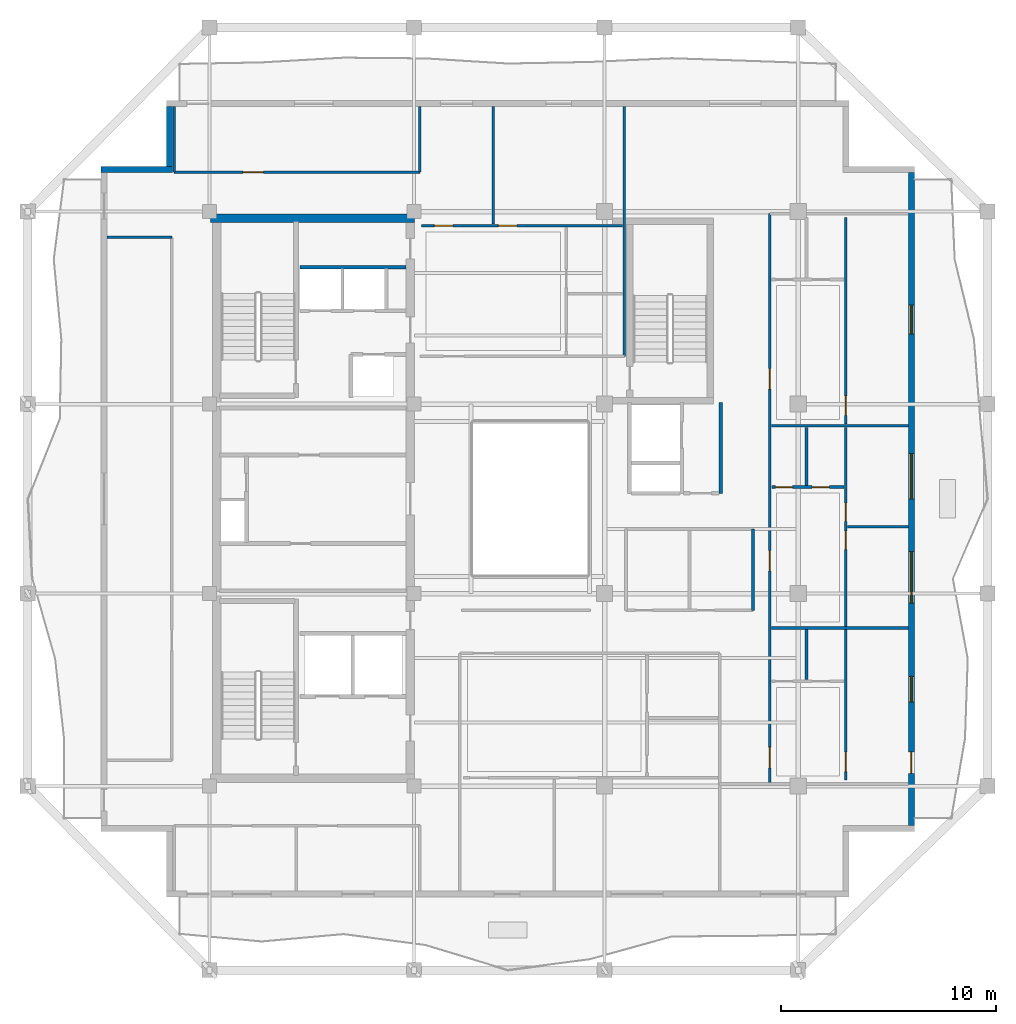
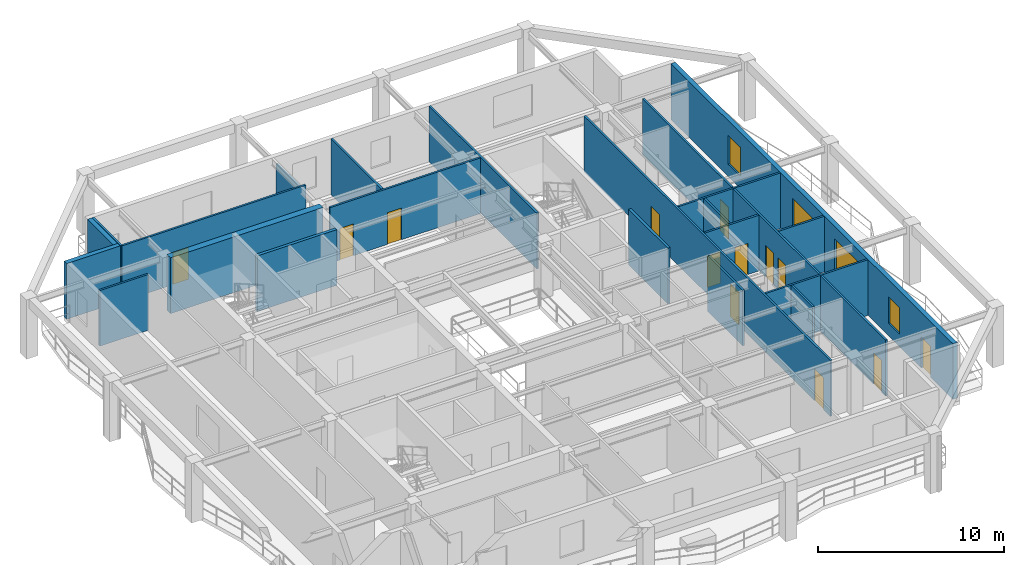
# One storey, part 5 of 10: 24 walls, 13 doors, 4 windows, 17 openings.
"""IFC4 building model written with IfcOpenShell, lengths in metres."""

from ifc_helpers import new_model, si_unit, direction, frame, frame_2d, origin, place, context, subcontext, project, spatial, rectangle, extrude, material, layer, layer_set, type_object, element, fill, save


model = new_model("IFC4")

# Units and contexts
model_context = context("Model", 3, precision=1e-05, world=origin(), true_north=direction((0.0, 1.0)))
body_context = subcontext(model_context, "Body", "Model", "MODEL_VIEW")
ifc_project = project(units=[si_unit("LENGTHUNIT", "METRE"), si_unit("AREAUNIT", "SQUARE_METRE"), si_unit("VOLUMEUNIT", "CUBIC_METRE"), si_unit("PLANEANGLEUNIT", "RADIAN"), si_unit("MASSUNIT", "GRAM", prefix="KILO")], contexts=[model_context])

# Site, building, storey
site_placement = place(None, origin())
site = spatial("IfcSite", under=ifc_project, at=site_placement, CompositionType="ELEMENT")
building_placement = place(site_placement, origin())
building = spatial("IfcBuilding", under=site, at=building_placement, Name="Kundavana Baori Tower", CompositionType="ELEMENT")
storey_placement = place(building_placement, frame((0.0, 0.0, 292.10009765625)))
storey = spatial("IfcBuildingStorey", under=building, at=storey_placement, Name="L72", CompositionType="ELEMENT", Elevation=292.10009765625)

# Wall
ifc_material_1 = material(Name="Concrete C50/60", Category="concrete")
ifc_layer_1 = layer(ifc_material_1, 0.39990234375, Name="WL-CORE-400")
ifc_layer_set_1 = layer_set([ifc_layer_1], Name="Concrete C50/60")
wall_type_1 = type_object("IfcWallType", Name="WL-CORE-400", PredefinedType="SHEAR", material=ifc_layer_set_1)
wall_1_placement = place(storey_placement, frame((15.5, 41.639892578125, 0.0), z_axis=(0.0, 0.0, 1.0), x_axis=(1.0, 0.0, 0.0)))
element("IfcWall", 1, at=wall_1_placement, inside=storey, type_object=wall_type_1, Name="L72 Offset Core North Shear Wall", PredefinedType="SHEAR", context=body_context, shape_type="SweptSolid", body=[
    extrude(rectangle(XDim=9.47998046875, YDim=0.39990234375, at=frame_2d((4.739990234375, 0.0))), origin(), (0.0, 0.0, 1.0), 3.659912109375),
])

# Wall, openings, door, windows
ifc_material_2 = material(Name="Red-Buff Dholpur Sandstone Cladding on Concrete C40/50", Category="masonry")
ifc_layer_2 = layer(ifc_material_2, 0.280029296875, Name="WL-EXT-SAND-280")
ifc_layer_set_2 = layer_set([ifc_layer_2], Name="Red-Buff Dholpur Sandstone Cladding on Concrete C40/50")
wall_type_2 = type_object("IfcWallType", Name="WL-EXT-SAND-280", PredefinedType="STANDARD", material=ifc_layer_set_2)
wall_2_placement = place(storey_placement, frame((48.06005859375, 13.429931640625, 0.0), z_axis=(0.0, 0.0, 1.0), x_axis=(0.0, 1.0, 0.0)))
wall_2 = element("IfcWall", 2, at=wall_2_placement, inside=storey, type_object=wall_type_2, Name="L72 Exterior Insulated Facade Wall 04", PredefinedType="STANDARD", context=body_context, shape_type="SweptSolid", body=[
    extrude(rectangle(XDim=30.340087890625, YDim=0.280029296875, at=frame_2d((15.169921875, 0.0))), origin(), (0.0, 0.0, 1.0), 3.659912109375),
])
opening_1_placement = place(wall_2_placement, frame((2.409912109375, 0.0, 0.0)))
opening_1 = element("IfcOpeningElement", 3, at=opening_1_placement, cuts=wall_2, Name="Opening BD-1", PredefinedType="OPENING", context=body_context, shape_type="SweptSolid", body=[
    extrude(rectangle(XDim=1.0, YDim=2.050048828125, at=frame_2d((0.5, 1.02490234375))), frame((0.0, 0.14990234375, 0.0), z_axis=(0.0, -1.0, 0.0), x_axis=(1.0, 0.0, 0.0)), (0.0, 0.0, 1.0), 0.300048828125),
])
opening_2_placement = place(wall_2_placement, frame((5.719970703125, 0.0, 0.800048828125)))
opening_2 = element("IfcOpeningElement", 4, at=opening_2_placement, cuts=wall_2, Name="Opening W-03", PredefinedType="OPENING", context=body_context, shape_type="SweptSolid", body=[
    extrude(rectangle(XDim=1.199951171875, YDim=1.75, at=frame_2d((0.60009765625, 0.875))), frame((0.0, 0.14990234375, 0.0), z_axis=(0.0, -1.0, 0.0), x_axis=(1.0, 0.0, 0.0)), (0.0, 0.0, 1.0), 0.300048828125),
])
opening_3_placement = place(wall_2_placement, frame((10.320068359375, 0.0, 0.800048828125)))
opening_3 = element("IfcOpeningElement", 5, at=opening_3_placement, cuts=wall_2, Name="Opening W-04", PredefinedType="OPENING", context=body_context, shape_type="SweptSolid", body=[
    extrude(rectangle(XDim=2.39990234375, YDim=2.050048828125, at=frame_2d((1.199951171875, 1.02490234375))), frame((0.0, 0.14990234375, 0.0), z_axis=(0.0, -1.0, 0.0), x_axis=(1.0, 0.0, 0.0)), (0.0, 0.0, 1.0), 0.300048828125),
])
opening_4_placement = place(wall_2_placement, frame((15.169921875, 0.0, 0.800048828125)))
opening_4 = element("IfcOpeningElement", 6, at=opening_4_placement, cuts=wall_2, Name="Opening W-05", PredefinedType="OPENING", context=body_context, shape_type="SweptSolid", body=[
    extrude(rectangle(XDim=2.10009765625, YDim=1.949951171875, at=frame_2d((1.050048828125, 0.97509765625))), frame((0.0, 0.14990234375, 0.0), z_axis=(0.0, -1.0, 0.0), x_axis=(1.0, 0.0, 0.0)), (0.0, 0.0, 1.0), 0.300048828125),
])
opening_5_placement = place(wall_2_placement, frame((22.820068359375, 0.0, 0.800048828125)))
opening_5 = element("IfcOpeningElement", 7, at=opening_5_placement, cuts=wall_2, Name="Opening W-07", PredefinedType="OPENING", context=body_context, shape_type="SweptSolid", body=[
    extrude(rectangle(XDim=1.35009765625, YDim=1.89990234375, at=frame_2d((0.675048828125, 0.949951171875))), frame((0.0, 0.14990234375, 0.0), z_axis=(0.0, -1.0, 0.0), x_axis=(1.0, 0.0, 0.0)), (0.0, 0.0, 1.0), 0.300048828125),
])
ifc_material_3 = material(Name="Architectural Patinated Bronze Metalwork")
door_type_1 = type_object("IfcDoorType", Name="DR-EXT-LOG-1000", OperationType="NOTDEFINED", PredefinedType="DOOR", material=ifc_material_3)
door_1_placement = place(opening_1_placement, frame((1.0, 0.0, 0.0), z_axis=(0.0, 0.0, 1.0), x_axis=(-1.0, 0.0, 0.0)))
door_1 = element("IfcDoor", 8, at=door_1_placement, inside=storey, type_object=door_type_1, Name="L72 Loggia Balcony Access Door E", OperationType="SINGLE_SWING_RIGHT", OverallHeight=2.050048828125, OverallWidth=1.0, PredefinedType="DOOR", context=body_context, shape_type="SweptSolid", body=[
    extrude(rectangle(XDim=1.0, YDim=2.050048828125, at=frame_2d((0.5, 1.02490234375))), frame((0.0, 0.02490234375, 0.0), z_axis=(0.0, -1.0, 0.0), x_axis=(1.0, 0.0, 0.0)), (0.0, 0.0, 1.0), 0.050048828125),
])
fill(opening_1, door_1)
ifc_material_4 = material(Name="Double-Glazed Solar-Control Low-E Insulated Glass", Category="glass")
window_type_1 = type_object("IfcWindowType", Name="WIN-LOG-1200x1750", PartitioningType="SINGLE_PANEL", PredefinedType="WINDOW", material=ifc_material_4)
window_1_placement = place(opening_2_placement, origin())
window_1 = element("IfcWindow", 9, at=window_1_placement, inside=storey, type_object=window_type_1, Name="L72 Recessed Loggia Window E-1", OverallHeight=1.75, OverallWidth=1.199951171875, PartitioningType="SINGLE_PANEL", PredefinedType="WINDOW", context=body_context, shape_type="SweptSolid", body=[
    extrude(rectangle(XDim=1.199951171875, YDim=1.75, at=frame_2d((0.60009765625, 0.875))), frame((0.0, 0.030029296875, 0.0), z_axis=(0.0, -1.0, 0.0), x_axis=(1.0, 0.0, 0.0)), (0.0, 0.0, 1.0), 0.06005859375),
])
fill(opening_2, window_1)
ifc_material_5 = material(Name="Double-Glazed Solar-Control Low-E Insulated Glass", Category="glass")
window_type_2 = type_object("IfcWindowType", Name="WIN-LOG-1350x1900", PartitioningType="SINGLE_PANEL", PredefinedType="WINDOW", material=ifc_material_5)
window_2_placement = place(opening_5_placement, origin())
window_2 = element("IfcWindow", 10, at=window_2_placement, inside=storey, type_object=window_type_2, Name="L72 Recessed Loggia Window E-4", OverallHeight=1.89990234375, OverallWidth=1.35009765625, PartitioningType="SINGLE_PANEL", PredefinedType="WINDOW", context=body_context, shape_type="SweptSolid", body=[
    extrude(rectangle(XDim=1.35009765625, YDim=1.89990234375, at=frame_2d((0.675048828125, 0.949951171875))), frame((0.0, 0.030029296875, 0.0), z_axis=(0.0, -1.0, 0.0), x_axis=(1.0, 0.0, 0.0)), (0.0, 0.0, 1.0), 0.06005859375),
])
fill(opening_5, window_2)
ifc_material_6 = material(Name="Double-Glazed Solar-Control Low-E Insulated Glass", Category="glass")
window_type_3 = type_object("IfcWindowType", Name="WIN-LOG-2100x1950", PartitioningType="SINGLE_PANEL", PredefinedType="WINDOW", material=ifc_material_6)
window_3_placement = place(opening_4_placement, origin())
window_3 = element("IfcWindow", 11, at=window_3_placement, inside=storey, type_object=window_type_3, Name="L72 Recessed Loggia Window E-3", OverallHeight=1.949951171875, OverallWidth=2.10009765625, PartitioningType="SINGLE_PANEL", PredefinedType="WINDOW", context=body_context, shape_type="SweptSolid", body=[
    extrude(rectangle(XDim=2.10009765625, YDim=1.949951171875, at=frame_2d((1.050048828125, 0.97509765625))), frame((0.0, 0.030029296875, 0.0), z_axis=(0.0, -1.0, 0.0), x_axis=(1.0, 0.0, 0.0)), (0.0, 0.0, 1.0), 0.06005859375),
])
fill(opening_4, window_3)
ifc_material_7 = material(Name="Double-Glazed Solar-Control Low-E Insulated Glass", Category="glass")
window_type_4 = type_object("IfcWindowType", Name="WIN-LOG-2400x2050", PartitioningType="SINGLE_PANEL", PredefinedType="WINDOW", material=ifc_material_7)
window_4_placement = place(opening_3_placement, origin())
window_4 = element("IfcWindow", 12, at=window_4_placement, inside=storey, type_object=window_type_4, Name="L72 Recessed Loggia Window E-2", OverallHeight=2.050048828125, OverallWidth=2.39990234375, PartitioningType="SINGLE_PANEL", PredefinedType="WINDOW", context=body_context, shape_type="SweptSolid", body=[
    extrude(rectangle(XDim=2.39990234375, YDim=2.050048828125, at=frame_2d((1.199951171875, 1.02490234375))), frame((0.0, 0.030029296875, 0.0), z_axis=(0.0, -1.0, 0.0), x_axis=(1.0, 0.0, 0.0)), (0.0, 0.0, 1.0), 0.06005859375),
])
fill(opening_3, window_4)

# Walls
wall_3_placement = place(storey_placement, frame((13.590087890625, 46.820068359375, 0.0), z_axis=(0.0, 0.0, 1.0), x_axis=(0.0, -1.0, 0.0)))
element("IfcWall", 13, at=wall_3_placement, inside=storey, type_object=wall_type_2, Name="L72 Exterior Insulated Facade Wall 08", PredefinedType="STANDARD", context=body_context, shape_type="SweptSolid", body=[
    extrude(rectangle(XDim=2.77001953125, YDim=0.280029296875, at=frame_2d((1.385009765625, 0.0))), origin(), (0.0, 0.0, 1.0), 3.659912109375),
])
wall_4_placement = place(storey_placement, frame((13.72998046875, 43.909912109375, 0.0), z_axis=(0.0, 0.0, 1.0), x_axis=(-1.0, 0.0, 0.0)))
element("IfcWall", 14, at=wall_4_placement, inside=storey, type_object=wall_type_2, Name="L72 Exterior Insulated Facade Wall 09", PredefinedType="STANDARD", context=body_context, shape_type="SweptSolid", body=[
    extrude(rectangle(XDim=3.330078125, YDim=0.280029296875, at=frame_2d((1.6650390625, 0.0))), origin(), (0.0, 0.0, 1.0), 3.659912109375),
])

# Wall, opening, door
ifc_material_8 = material(Name="Acoustic Gypsum Plasterboard on Galvanised Steel Studs", Category="steel")
ifc_layer_3 = layer(ifc_material_8, 0.1201171875, Name="WL-PART-120")
ifc_layer_set_3 = layer_set([ifc_layer_3], Name="Acoustic Gypsum Plasterboard on Galvanised Steel Studs")
wall_type_3 = type_object("IfcWallType", Name="WL-PART-120", PredefinedType="PARTITIONING", material=ifc_layer_set_3)
wall_5_placement = place(storey_placement, frame((13.800048828125, 43.780029296875, 0.0), z_axis=(0.0, 0.0, 1.0), x_axis=(1.0, 0.0, 0.0)))
wall_5 = element("IfcWall", 15, at=wall_5_placement, inside=storey, type_object=wall_type_3, Name="WL-L72-RNC", PredefinedType="PARTITIONING", context=body_context, shape_type="SweptSolid", body=[
    extrude(rectangle(XDim=11.419921875, YDim=0.1201171875, at=frame_2d((5.7099609375, 0.0))), origin(), (0.0, 0.0, 1.0), 3.659912109375),
])
opening_6_placement = place(wall_5_placement, frame((3.199951171875, 0.0, 0.0)))
opening_6 = element("IfcOpeningElement", 16, at=opening_6_placement, cuts=wall_5, Name="Opening ID-095", PredefinedType="OPENING", context=body_context, shape_type="SweptSolid", body=[
    extrude(rectangle(XDim=0.949951171875, YDim=2.080078125, at=frame_2d((0.47509765625, 1.0400390625))), frame((0.0, 0.070068359375, 0.0), z_axis=(0.0, -1.0, 0.0), x_axis=(1.0, 0.0, 0.0)), (0.0, 0.0, 1.0), 0.14013671875),
])
ifc_material_9 = material(Name="Engineered Teak Solid-Core Timber Veneer", Category="wood")
door_type_2 = type_object("IfcDoorType", Name="DR-INT-950", OperationType="NOTDEFINED", PredefinedType="DOOR", material=ifc_material_9)
door_2_placement = place(opening_6_placement, origin())
door_2 = element("IfcDoor", 17, at=door_2_placement, inside=storey, type_object=door_type_2, Name="DR-L72-RMNW", OperationType="SINGLE_SWING_RIGHT", OverallHeight=2.080078125, OverallWidth=0.949951171875, PredefinedType="DOOR", context=body_context, shape_type="SweptSolid", body=[
    extrude(rectangle(XDim=0.949951171875, YDim=2.080078125, at=frame_2d((0.47509765625, 1.0400390625))), frame((0.0, 0.02490234375, 0.0), z_axis=(0.0, -1.0, 0.0), x_axis=(1.0, 0.0, 0.0)), (0.0, 0.0, 1.0), 0.050048828125),
])
fill(opening_6, door_2)

# Walls
wall_6_placement = place(storey_placement, frame((13.800048828125, 43.780029296875, 0.0), z_axis=(0.0, 0.0, 1.0), x_axis=(0.0, 1.0, 0.0)))
element("IfcWall", 18, at=wall_6_placement, inside=storey, type_object=wall_type_3, Name="WL-L72-RNCW", PredefinedType="PARTITIONING", context=body_context, shape_type="SweptSolid", body=[
    extrude(rectangle(XDim=3.0400390625, YDim=0.1201171875, at=frame_2d((1.52001953125, 0.0))), origin(), (0.0, 0.0, 1.0), 3.659912109375),
])
wall_7_placement = place(storey_placement, frame((25.219970703125, 43.780029296875, 0.0), z_axis=(0.0, 0.0, 1.0), x_axis=(0.0, 1.0, 0.0)))
element("IfcWall", 19, at=wall_7_placement, inside=storey, type_object=wall_type_3, Name="WL-L72-RNCE", PredefinedType="PARTITIONING", context=body_context, shape_type="SweptSolid", body=[
    extrude(rectangle(XDim=3.0400390625, YDim=0.1201171875, at=frame_2d((1.52001953125, 0.0))), origin(), (0.0, 0.0, 1.0), 3.2099609375),
])
wall_8_placement = place(storey_placement, frame((10.679931640625, 40.75, 0.0), z_axis=(0.0, 0.0, 1.0), x_axis=(1.0, 0.0, 0.0)))
element("IfcWall", 20, at=wall_8_placement, inside=storey, type_object=wall_type_3, Name="WL-L72-RWN", PredefinedType="PARTITIONING", context=body_context, shape_type="SweptSolid", body=[
    extrude(rectangle(XDim=3.02001953125, YDim=0.1201171875, at=frame_2d((1.510009765625, 0.0))), origin(), (0.0, 0.0, 1.0), 3.659912109375),
])
wall_9_placement = place(storey_placement, frame((34.719970703125, 35.219970703125, 0.0), z_axis=(0.0, 0.0, 1.0), x_axis=(0.0, 1.0, 0.0)))
element("IfcWall", 21, at=wall_9_placement, inside=storey, type_object=wall_type_3, Name="WL-L72-RNEND", PredefinedType="PARTITIONING", context=body_context, shape_type="SweptSolid", body=[
    extrude(rectangle(XDim=11.60009765625, YDim=0.1201171875, at=frame_2d((5.800048828125, 0.0))), origin(), (0.0, 0.0, 1.0), 3.659912109375),
])

# Wall, openings, doors
wall_10_placement = place(storey_placement, frame((25.300048828125, 41.2900390625, 0.0), z_axis=(0.0, 0.0, 1.0), x_axis=(1.0, 0.0, 0.0)))
wall_10 = element("IfcWall", 22, at=wall_10_placement, inside=storey, type_object=wall_type_3, Name="WL-L72-N1-HZ", PredefinedType="PARTITIONING", context=body_context, shape_type="SweptSolid", body=[
    extrude(rectangle(XDim=9.33984375, YDim=0.1201171875, at=frame_2d((4.669921875, 0.0))), origin(), (0.0, 0.0, 1.0), 3.659912109375),
])
opening_7_placement = place(wall_10_placement, frame((0.60009765625, 0.0, 0.0)))
opening_7 = element("IfcOpeningElement", 23, at=opening_7_placement, cuts=wall_10, Name="Opening ID-085", PredefinedType="OPENING", context=body_context, shape_type="SweptSolid", body=[
    extrude(rectangle(XDim=0.85009765625, YDim=2.080078125, at=frame_2d((0.425048828125, 1.0400390625))), frame((0.0, 0.070068359375, 0.0), z_axis=(0.0, -1.0, 0.0), x_axis=(1.0, 0.0, 0.0)), (0.0, 0.0, 1.0), 0.14013671875),
])
opening_8_placement = place(wall_10_placement, frame((3.572998046875, 0.0, 0.0)))
opening_8 = element("IfcOpeningElement", 24, at=opening_8_placement, cuts=wall_10, Name="Opening ID-085", PredefinedType="OPENING", context=body_context, shape_type="SweptSolid", body=[
    extrude(rectangle(XDim=0.85009765625, YDim=2.080078125, at=frame_2d((0.425048828125, 1.0400390625))), frame((0.0, 0.070068359375, 0.0), z_axis=(0.0, -1.0, 0.0), x_axis=(1.0, 0.0, 0.0)), (0.0, 0.0, 1.0), 0.14013671875),
])
ifc_material_10 = material(Name="Engineered Teak Solid-Core Timber Veneer", Category="wood")
door_type_3 = type_object("IfcDoorType", Name="DR-INT-850", OperationType="NOTDEFINED", PredefinedType="DOOR", material=ifc_material_10)
door_3_placement = place(opening_7_placement, origin())
door_3 = element("IfcDoor", 25, at=door_3_placement, inside=storey, type_object=door_type_3, Name="DR-L72-N1-B1", OperationType="SINGLE_SWING_LEFT", OverallHeight=2.080078125, OverallWidth=0.85009765625, PredefinedType="DOOR", context=body_context, shape_type="SweptSolid", body=[
    extrude(rectangle(XDim=0.85009765625, YDim=2.080078125, at=frame_2d((0.425048828125, 1.0400390625))), frame((0.0, 0.02490234375, 0.0), z_axis=(0.0, -1.0, 0.0), x_axis=(1.0, 0.0, 0.0)), (0.0, 0.0, 1.0), 0.050048828125),
])
fill(opening_7, door_3)
door_4_placement = place(opening_8_placement, origin())
door_4 = element("IfcDoor", 26, at=door_4_placement, inside=storey, type_object=door_type_3, Name="DR-L72-N1-B2", OperationType="SINGLE_SWING_RIGHT", OverallHeight=2.080078125, OverallWidth=0.85009765625, PredefinedType="DOOR", context=body_context, shape_type="SweptSolid", body=[
    extrude(rectangle(XDim=0.85009765625, YDim=2.080078125, at=frame_2d((0.425048828125, 1.0400390625))), frame((0.0, 0.02490234375, 0.0), z_axis=(0.0, -1.0, 0.0), x_axis=(1.0, 0.0, 0.0)), (0.0, 0.0, 1.0), 0.050048828125),
])
fill(opening_8, door_4)

# Wall
wall_11_placement = place(storey_placement, frame((28.623046875, 41.3701171875, 0.0), z_axis=(0.0, 0.0, 1.0), x_axis=(0.0, 1.0, 0.0)))
element("IfcWall", 27, at=wall_11_placement, inside=storey, type_object=wall_type_3, Name="WL-L72-N1-BDV", PredefinedType="PARTITIONING", context=body_context, shape_type="SweptSolid", body=[
    extrude(rectangle(XDim=5.449951171875, YDim=0.1201171875, at=frame_2d((2.72509765625, 0.0))), origin(), (0.0, 0.0, 1.0), 3.659912109375),
])

# Wall, openings, doors
wall_12_placement = place(storey_placement, frame((41.47998046875, 15.35009765625, 0.0), z_axis=(0.0, 0.0, 1.0), x_axis=(0.0, 1.0, 0.0)))
wall_12 = element("IfcWall", 28, at=wall_12_placement, inside=storey, type_object=wall_type_3, Name="WL-L72-RE", PredefinedType="PARTITIONING", context=body_context, shape_type="SweptSolid", body=[
    extrude(rectangle(XDim=26.5, YDim=0.1201171875, at=frame_2d((13.25, 0.0))), origin(), (0.0, 0.0, 1.0), 3.659912109375),
])
opening_9_placement = place(wall_12_placement, frame((0.75, 0.0, 0.0)))
opening_9 = element("IfcOpeningElement", 29, at=opening_9_placement, cuts=wall_12, Name="Opening FD-095", PredefinedType="OPENING", context=body_context, shape_type="SweptSolid", body=[
    extrude(rectangle(XDim=0.949951171875, YDim=2.10009765625, at=frame_2d((0.47509765625, 1.050048828125))), frame((0.0, 0.070068359375, 0.0), z_axis=(0.0, -1.0, 0.0), x_axis=(1.0, 0.0, 0.0)), (0.0, 0.0, 1.0), 0.14013671875),
])
opening_10_placement = place(wall_12_placement, frame((9.89990234375, 0.0, 0.0)))
opening_10 = element("IfcOpeningElement", 30, at=opening_10_placement, cuts=wall_12, Name="Opening FD-095", PredefinedType="OPENING", context=body_context, shape_type="SweptSolid", body=[
    extrude(rectangle(XDim=0.949951171875, YDim=2.10009765625, at=frame_2d((0.47509765625, 1.050048828125))), frame((0.0, 0.070068359375, 0.0), z_axis=(0.0, -1.0, 0.0), x_axis=(1.0, 0.0, 0.0)), (0.0, 0.0, 1.0), 0.14013671875),
])
opening_11_placement = place(wall_12_placement, frame((18.35009765625, 0.0, 0.0)))
opening_11 = element("IfcOpeningElement", 31, at=opening_11_placement, cuts=wall_12, Name="Opening FD-095", PredefinedType="OPENING", context=body_context, shape_type="SweptSolid", body=[
    extrude(rectangle(XDim=0.949951171875, YDim=2.10009765625, at=frame_2d((0.47509765625, 1.050048828125))), frame((0.0, 0.070068359375, 0.0), z_axis=(0.0, -1.0, 0.0), x_axis=(1.0, 0.0, 0.0)), (0.0, 0.0, 1.0), 0.14013671875),
])
ifc_material_11 = material(Name="Engineered Teak Fire-Rated Timber Door Leaf", Category="wood")
door_type_4 = type_object("IfcDoorType", Name="DR-FD60-950", OperationType="NOTDEFINED", PredefinedType="DOOR", material=ifc_material_11)
door_5_placement = place(opening_9_placement, origin())
door_5 = element("IfcDoor", 32, at=door_5_placement, inside=storey, type_object=door_type_4, Name="DR-L72-E1-ENT", OperationType="SINGLE_SWING_LEFT", OverallHeight=2.10009765625, OverallWidth=0.949951171875, PredefinedType="DOOR", context=body_context, shape_type="SweptSolid", body=[
    extrude(rectangle(XDim=0.949951171875, YDim=2.10009765625, at=frame_2d((0.47509765625, 1.050048828125))), frame((0.0, 0.02490234375, 0.0), z_axis=(0.0, -1.0, 0.0), x_axis=(1.0, 0.0, 0.0)), (0.0, 0.0, 1.0), 0.050048828125),
])
fill(opening_9, door_5)
door_6_placement = place(opening_10_placement, origin())
door_6 = element("IfcDoor", 33, at=door_6_placement, inside=storey, type_object=door_type_4, Name="DR-L72-E2-ENT", OperationType="SINGLE_SWING_LEFT", OverallHeight=2.10009765625, OverallWidth=0.949951171875, PredefinedType="DOOR", context=body_context, shape_type="SweptSolid", body=[
    extrude(rectangle(XDim=0.949951171875, YDim=2.10009765625, at=frame_2d((0.47509765625, 1.050048828125))), frame((0.0, 0.02490234375, 0.0), z_axis=(0.0, -1.0, 0.0), x_axis=(1.0, 0.0, 0.0)), (0.0, 0.0, 1.0), 0.050048828125),
])
fill(opening_10, door_6)
door_7_placement = place(opening_11_placement, origin())
door_7 = element("IfcDoor", 34, at=door_7_placement, inside=storey, type_object=door_type_4, Name="DR-L72-E3-ENT", OperationType="SINGLE_SWING_LEFT", OverallHeight=2.10009765625, OverallWidth=0.949951171875, PredefinedType="DOOR", context=body_context, shape_type="SweptSolid", body=[
    extrude(rectangle(XDim=0.949951171875, YDim=2.10009765625, at=frame_2d((0.47509765625, 1.050048828125))), frame((0.0, 0.02490234375, 0.0), z_axis=(0.0, -1.0, 0.0), x_axis=(1.0, 0.0, 0.0)), (0.0, 0.0, 1.0), 0.050048828125),
])
fill(opening_11, door_7)

# Wall, opening, door
wall_13_placement = place(storey_placement, frame((45.00390625, 15.530029296875, 0.0), z_axis=(0.0, 0.0, 1.0), x_axis=(0.0, 1.0, 0.0)))
wall_13 = element("IfcWall", 35, at=wall_13_placement, inside=storey, type_object=wall_type_3, Name="WL-L72-E1-VT", PredefinedType="PARTITIONING", context=body_context, shape_type="SweptSolid", body=[
    extrude(rectangle(XDim=6.989990234375, YDim=0.1201171875, at=frame_2d((3.4951171875, 0.0))), origin(), (0.0, 0.0, 1.0), 3.659912109375),
])
opening_12_placement = place(wall_13_placement, frame((0.39990234375, 0.0, 0.0)))
opening_12 = element("IfcOpeningElement", 36, at=opening_12_placement, cuts=wall_13, Name="Opening ID-090", PredefinedType="OPENING", context=body_context, shape_type="SweptSolid", body=[
    extrude(rectangle(XDim=0.89990234375, YDim=2.080078125, at=frame_2d((0.449951171875, 1.0400390625))), frame((0.0, 0.070068359375, 0.0), z_axis=(0.0, -1.0, 0.0), x_axis=(1.0, 0.0, 0.0)), (0.0, 0.0, 1.0), 0.14013671875),
])
ifc_material_12 = material(Name="Engineered Teak Solid-Core Timber Veneer", Category="wood")
door_type_5 = type_object("IfcDoorType", Name="DR-INT-900", OperationType="NOTDEFINED", PredefinedType="DOOR", material=ifc_material_12)
door_8_placement = place(opening_12_placement, origin())
door_8 = element("IfcDoor", 37, at=door_8_placement, inside=storey, type_object=door_type_5, Name="DR-L72-E1-B1", OperationType="SINGLE_SWING_LEFT", OverallHeight=2.080078125, OverallWidth=0.89990234375, PredefinedType="DOOR", context=body_context, shape_type="SweptSolid", body=[
    extrude(rectangle(XDim=0.89990234375, YDim=2.080078125, at=frame_2d((0.449951171875, 1.0400390625))), frame((0.0, 0.02490234375, 0.0), z_axis=(0.0, -1.0, 0.0), x_axis=(1.0, 0.0, 0.0)), (0.0, 0.0, 1.0), 0.050048828125),
])
fill(opening_12, door_8)

# Wall
wall_14_placement = place(storey_placement, frame((41.56005859375, 22.60009765625, 0.0), z_axis=(0.0, 0.0, 1.0), x_axis=(1.0, 0.0, 0.0)))
element("IfcWall", 38, at=wall_14_placement, inside=storey, type_object=wall_type_3, Name="WL-L72-RED1", PredefinedType="PARTITIONING", context=body_context, shape_type="SweptSolid", body=[
    extrude(rectangle(XDim=6.35986328125, YDim=0.1201171875, at=frame_2d((3.179931640625, 0.0))), origin(), (0.0, 0.0, 1.0), 3.659912109375),
])

# Wall, openings, doors
wall_15_placement = place(storey_placement, frame((45.00390625, 22.679931640625, 0.0), z_axis=(0.0, 0.0, 1.0), x_axis=(0.0, 1.0, 0.0)))
wall_15 = element("IfcWall", 39, at=wall_15_placement, inside=storey, type_object=wall_type_3, Name="WL-L72-E2-VT", PredefinedType="PARTITIONING", context=body_context, shape_type="SweptSolid", body=[
    extrude(rectangle(XDim=9.239990234375, YDim=0.1201171875, at=frame_2d((4.6201171875, 0.0))), origin(), (0.0, 0.0, 1.0), 3.659912109375),
])
opening_13_placement = place(wall_15_placement, frame((3.570068359375, 0.0, 0.0)))
opening_13 = element("IfcOpeningElement", 40, at=opening_13_placement, cuts=wall_15, Name="Opening ID-085", PredefinedType="OPENING", context=body_context, shape_type="SweptSolid", body=[
    extrude(rectangle(XDim=0.85009765625, YDim=2.080078125, at=frame_2d((0.425048828125, 1.0400390625))), frame((0.0, 0.070068359375, 0.0), z_axis=(0.0, -1.0, 0.0), x_axis=(1.0, 0.0, 0.0)), (0.0, 0.0, 1.0), 0.14013671875),
])
opening_14_placement = place(wall_15_placement, frame((4.8701171875, 0.0, 0.0)))
opening_14 = element("IfcOpeningElement", 41, at=opening_14_placement, cuts=wall_15, Name="Opening ID-085", PredefinedType="OPENING", context=body_context, shape_type="SweptSolid", body=[
    extrude(rectangle(XDim=0.85009765625, YDim=2.080078125, at=frame_2d((0.425048828125, 1.0400390625))), frame((0.0, 0.070068359375, 0.0), z_axis=(0.0, -1.0, 0.0), x_axis=(1.0, 0.0, 0.0)), (0.0, 0.0, 1.0), 0.14013671875),
])
door_9_placement = place(opening_13_placement, origin())
door_9 = element("IfcDoor", 42, at=door_9_placement, inside=storey, type_object=door_type_3, Name="DR-L72-E2-B1", OperationType="SINGLE_SWING_LEFT", OverallHeight=2.080078125, OverallWidth=0.85009765625, PredefinedType="DOOR", context=body_context, shape_type="SweptSolid", body=[
    extrude(rectangle(XDim=0.85009765625, YDim=2.080078125, at=frame_2d((0.425048828125, 1.0400390625))), frame((0.0, 0.02490234375, 0.0), z_axis=(0.0, -1.0, 0.0), x_axis=(1.0, 0.0, 0.0)), (0.0, 0.0, 1.0), 0.050048828125),
])
fill(opening_13, door_9)
door_10_placement = place(opening_14_placement, origin())
door_10 = element("IfcDoor", 43, at=door_10_placement, inside=storey, type_object=door_type_3, Name="DR-L72-E2-B2", OperationType="SINGLE_SWING_RIGHT", OverallHeight=2.080078125, OverallWidth=0.85009765625, PredefinedType="DOOR", context=body_context, shape_type="SweptSolid", body=[
    extrude(rectangle(XDim=0.85009765625, YDim=2.080078125, at=frame_2d((0.425048828125, 1.0400390625))), frame((0.0, 0.02490234375, 0.0), z_axis=(0.0, -1.0, 0.0), x_axis=(1.0, 0.0, 0.0)), (0.0, 0.0, 1.0), 0.050048828125),
])
fill(opening_14, door_10)

# Walls
wall_16_placement = place(storey_placement, frame((45.083984375, 27.300048828125, 0.0), z_axis=(0.0, 0.0, 1.0), x_axis=(1.0, 0.0, 0.0)))
element("IfcWall", 44, at=wall_16_placement, inside=storey, type_object=wall_type_3, Name="WL-L72-E2-BDH", PredefinedType="PARTITIONING", context=body_context, shape_type="SweptSolid", body=[
    extrude(rectangle(XDim=2.8359375, YDim=0.1201171875, at=frame_2d((1.41796875, 0.0))), origin(), (0.0, 0.0, 1.0), 3.659912109375),
])
wall_17_placement = place(storey_placement, frame((41.56005859375, 32.0, 0.0), z_axis=(0.0, 0.0, 1.0), x_axis=(1.0, 0.0, 0.0)))
element("IfcWall", 45, at=wall_17_placement, inside=storey, type_object=wall_type_3, Name="WL-L72-RED2", PredefinedType="PARTITIONING", context=body_context, shape_type="SweptSolid", body=[
    extrude(rectangle(XDim=6.35986328125, YDim=0.1201171875, at=frame_2d((3.179931640625, 0.0))), origin(), (0.0, 0.0, 1.0), 3.659912109375),
])

# Wall, opening, door
wall_18_placement = place(storey_placement, frame((45.00390625, 32.080078125, 0.0), z_axis=(0.0, 0.0, 1.0), x_axis=(0.0, 1.0, 0.0)))
wall_18 = element("IfcWall", 46, at=wall_18_placement, inside=storey, type_object=wall_type_3, Name="WL-L72-E3-VT", PredefinedType="PARTITIONING", context=body_context, shape_type="SweptSolid", body=[
    extrude(rectangle(XDim=9.58984375, YDim=0.1201171875, at=frame_2d((4.794921875, 0.0))), origin(), (0.0, 0.0, 1.0), 3.659912109375),
])
opening_15_placement = place(wall_18_placement, frame((0.39990234375, 0.0, 0.0)))
opening_15 = element("IfcOpeningElement", 47, at=opening_15_placement, cuts=wall_18, Name="Opening ID-090", PredefinedType="OPENING", context=body_context, shape_type="SweptSolid", body=[
    extrude(rectangle(XDim=0.89990234375, YDim=2.080078125, at=frame_2d((0.449951171875, 1.0400390625))), frame((0.0, 0.070068359375, 0.0), z_axis=(0.0, -1.0, 0.0), x_axis=(1.0, 0.0, 0.0)), (0.0, 0.0, 1.0), 0.14013671875),
])
door_11_placement = place(opening_15_placement, origin())
door_11 = element("IfcDoor", 48, at=door_11_placement, inside=storey, type_object=door_type_5, Name="DR-L72-E3-B1", OperationType="SINGLE_SWING_LEFT", OverallHeight=2.080078125, OverallWidth=0.89990234375, PredefinedType="DOOR", context=body_context, shape_type="SweptSolid", body=[
    extrude(rectangle(XDim=0.89990234375, YDim=2.080078125, at=frame_2d((0.449951171875, 1.0400390625))), frame((0.0, 0.02490234375, 0.0), z_axis=(0.0, -1.0, 0.0), x_axis=(1.0, 0.0, 0.0)), (0.0, 0.0, 1.0), 0.050048828125),
])
fill(opening_15, door_11)

# Walls
wall_19_placement = place(storey_placement, frame((40.699951171875, 23.419921875, 0.0), z_axis=(0.0, 0.0, 1.0), x_axis=(0.0, 1.0, 0.0)))
element("IfcWall", 49, at=wall_19_placement, inside=storey, type_object=wall_type_3, Name="WL-L72-ALE", PredefinedType="PARTITIONING", context=body_context, shape_type="SweptSolid", body=[
    extrude(rectangle(XDim=3.780029296875, YDim=0.1201171875, at=frame_2d((1.89013671875, 0.0))), origin(), (0.0, 0.0, 1.0), 3.659912109375),
])
ifc_material_13 = material(Name="Fire-Rated Gypsum Drywall on Galvanised Steel Studs", Category="steel")
ifc_layer_4 = layer(ifc_material_13, 0.14990234375, Name="WL-PART-150")
ifc_layer_set_4 = layer_set([ifc_layer_4], Name="Fire-Rated Gypsum Drywall on Galvanised Steel Studs")
wall_type_4 = type_object("IfcWallType", Name="WL-PART-150", PredefinedType="PARTITIONING", material=ifc_layer_set_4)
wall_20_placement = place(storey_placement, frame((39.199951171875, 28.860107421875, 0.0), z_axis=(0.0, 0.0, 1.0), x_axis=(0.0, 1.0, 0.0)))
element("IfcWall", 50, at=wall_20_placement, inside=storey, type_object=wall_type_4, Name="WL-L72-SVLOB-E", PredefinedType="PARTITIONING", context=body_context, shape_type="SweptSolid", body=[
    extrude(rectangle(XDim=4.219970703125, YDim=0.14990234375, at=frame_2d((2.10986328125, 0.0))), origin(), (0.0, 0.0, 1.0), 3.659912109375),
])
ifc_material_14 = material(Name="Autoclaved Aerated Concrete Blockwork Masonry", Category="masonry")
ifc_layer_5 = layer(ifc_material_14, 0.179931640625, Name="WL-SHAFT-180")
ifc_layer_set_5 = layer_set([ifc_layer_5], Name="Autoclaved Aerated Concrete Blockwork Masonry")
wall_type_5 = type_object("IfcWallType", Name="WL-SHAFT-180", PredefinedType="SOLIDWALL", material=ifc_layer_set_5)
wall_21_placement = place(storey_placement, frame((19.639892578125, 39.360107421875, 0.0), z_axis=(0.0, 0.0, 1.0), x_axis=(1.0, 0.0, 0.0)))
element("IfcWall", 51, at=wall_21_placement, inside=storey, type_object=wall_type_5, Name="WL-L72-HRLOB-TOP", PredefinedType="SOLIDWALL", context=body_context, shape_type="SweptSolid", body=[
    extrude(rectangle(XDim=4.940185546875, YDim=0.179931640625, at=frame_2d((2.47021484375, 0.0))), origin(), (0.0, 0.0, 1.0), 3.659912109375),
])
ifc_material_15 = material(Name="Autoclaved Aerated Concrete Blockwork Masonry", Category="masonry")
ifc_layer_6 = layer(ifc_material_15, 0.125, Name="WL-WET-120")
ifc_layer_set_6 = layer_set([ifc_layer_6], Name="Autoclaved Aerated Concrete Blockwork Masonry")
wall_type_6 = type_object("IfcWallType", Name="WL-WET-120", PredefinedType="PLUMBINGWALL", material=ifc_layer_set_6)
wall_22_placement = place(storey_placement, frame((43.18505859375, 20.199951171875, 0.0), z_axis=(0.0, 0.0, 1.0), x_axis=(0.0, 1.0, 0.0)))
element("IfcWall", 52, at=wall_22_placement, inside=storey, type_object=wall_type_6, Name="WL-L72-E1-BV", PredefinedType="PLUMBINGWALL", context=body_context, shape_type="SweptSolid", body=[
    extrude(rectangle(XDim=2.320068359375, YDim=0.125, at=frame_2d((1.16015625, 0.0))), origin(), (0.0, 0.0, 1.0), 3.659912109375),
])

# Wall, openings, doors
wall_23_placement = place(storey_placement, frame((41.580078125, 29.14794921875, 0.0), z_axis=(0.0, 0.0, 1.0), x_axis=(1.0, 0.0, 0.0)))
wall_23 = element("IfcWall", 53, at=wall_23_placement, inside=storey, type_object=wall_type_6, Name="WL-L72-E2-KH", PredefinedType="PLUMBINGWALL", context=body_context, shape_type="SweptSolid", body=[
    extrude(rectangle(XDim=3.343994140625, YDim=0.125, at=frame_2d((1.671875, 0.0))), origin(), (0.0, 0.0, 1.0), 3.659912109375),
])
opening_16_placement = place(wall_23_placement, frame((0.159912109375, 0.0, 0.0)))
opening_16 = element("IfcOpeningElement", 54, at=opening_16_placement, cuts=wall_23, Name="Opening WD-080", PredefinedType="OPENING", context=body_context, shape_type="SweptSolid", body=[
    extrude(rectangle(XDim=0.800048828125, YDim=2.050048828125, at=frame_2d((0.39990234375, 1.02490234375))), frame((0.0, 0.072509765625, 0.0), z_axis=(0.0, -1.0, 0.0), x_axis=(1.0, 0.0, 0.0)), (0.0, 0.0, 1.0), 0.14501953125),
])
opening_17_placement = place(wall_23_placement, frame((1.864990234375, 0.0, 0.0)))
opening_17 = element("IfcOpeningElement", 55, at=opening_17_placement, cuts=wall_23, Name="Opening WD-080", PredefinedType="OPENING", context=body_context, shape_type="SweptSolid", body=[
    extrude(rectangle(XDim=0.800048828125, YDim=2.050048828125, at=frame_2d((0.39990234375, 1.02490234375))), frame((0.0, 0.072509765625, 0.0), z_axis=(0.0, -1.0, 0.0), x_axis=(1.0, 0.0, 0.0)), (0.0, 0.0, 1.0), 0.14501953125),
])
ifc_material_16 = material(Name="Engineered Teak Solid-Core Timber Veneer", Category="wood")
door_type_6 = type_object("IfcDoorType", Name="DR-WET-800", OperationType="NOTDEFINED", PredefinedType="DOOR", material=ifc_material_16)
door_12_placement = place(opening_16_placement, origin())
door_12 = element("IfcDoor", 56, at=door_12_placement, inside=storey, type_object=door_type_6, Name="DR-L72-E2-BT", OperationType="SINGLE_SWING_LEFT", OverallHeight=2.050048828125, OverallWidth=0.800048828125, PredefinedType="DOOR", context=body_context, shape_type="SweptSolid", body=[
    extrude(rectangle(XDim=0.800048828125, YDim=2.050048828125, at=frame_2d((0.39990234375, 1.02490234375))), frame((0.0, 0.02490234375, 0.0), z_axis=(0.0, -1.0, 0.0), x_axis=(1.0, 0.0, 0.0)), (0.0, 0.0, 1.0), 0.050048828125),
])
fill(opening_16, door_12)
door_13_placement = place(opening_17_placement, origin())
door_13 = element("IfcDoor", 57, at=door_13_placement, inside=storey, type_object=door_type_6, Name="DR-L72-E2-KT", OperationType="SINGLE_SWING_RIGHT", OverallHeight=2.050048828125, OverallWidth=0.800048828125, PredefinedType="DOOR", context=body_context, shape_type="SweptSolid", body=[
    extrude(rectangle(XDim=0.800048828125, YDim=2.050048828125, at=frame_2d((0.39990234375, 1.02490234375))), frame((0.0, 0.02490234375, 0.0), z_axis=(0.0, -1.0, 0.0), x_axis=(1.0, 0.0, 0.0)), (0.0, 0.0, 1.0), 0.050048828125),
])
fill(opening_17, door_13)

# Wall
wall_24_placement = place(storey_placement, frame((43.18505859375, 29.22802734375, 0.0), z_axis=(0.0, 0.0, 1.0), x_axis=(0.0, 1.0, 0.0)))
element("IfcWall", 58, at=wall_24_placement, inside=storey, type_object=wall_type_6, Name="WL-L72-E2-BV", PredefinedType="PLUMBINGWALL", context=body_context, shape_type="SweptSolid", body=[
    extrude(rectangle(XDim=2.69189453125, YDim=0.125, at=frame_2d((1.345947265625, 0.0))), origin(), (0.0, 0.0, 1.0), 3.659912109375),
])

save(model, "model.ifc")
